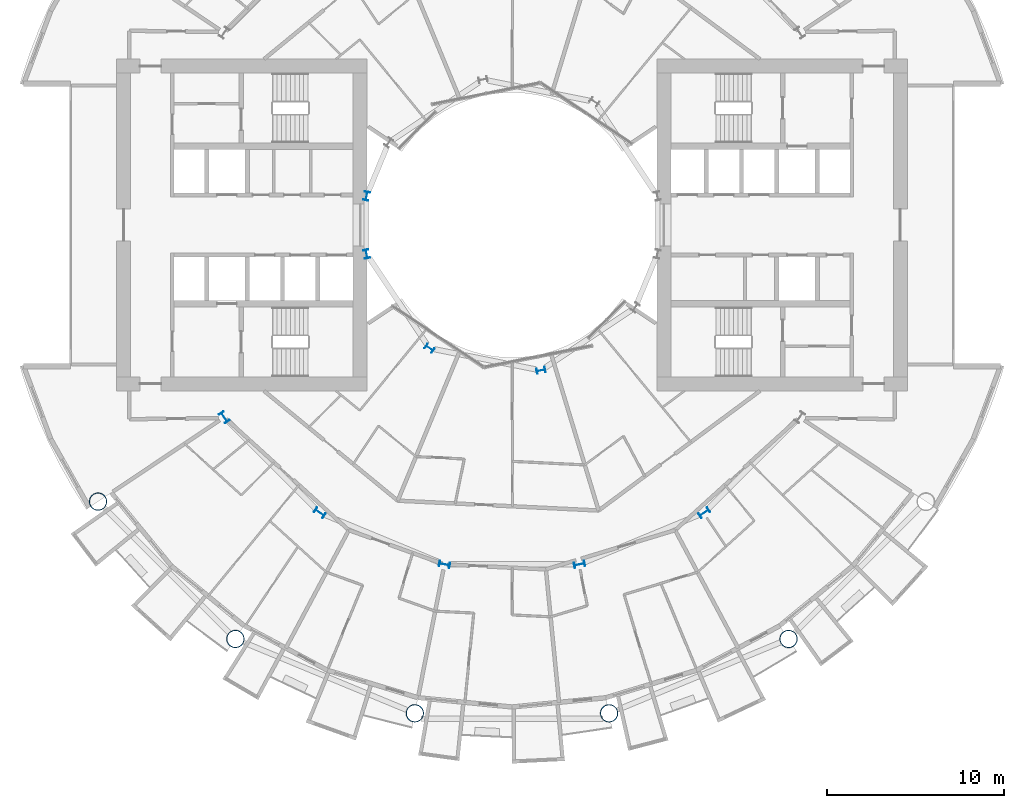
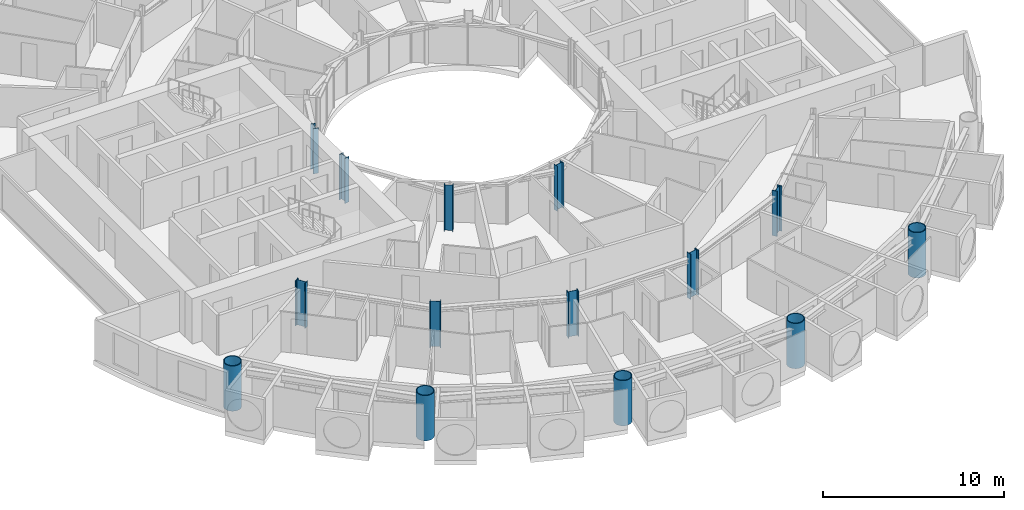
# One storey, part 1 of 26: 14 columns.
"""IFC4 building model written with IfcOpenShell, lengths in metres."""

from ifc_helpers import new_model, si_unit, direction, frame, origin, origin_2d, place, context, subcontext, project, spatial, hollow_circle, i_section, extrude, material, material_profile, profile_set, type_object, element, save


model = new_model("IFC4")

# Units and contexts
model_context = context("Model", 3, precision=1e-05, world=origin(), true_north=direction((0.0, 1.0)))
body_context = subcontext(model_context, "Body", "Model", "MODEL_VIEW")
ifc_project = project(units=[si_unit("LENGTHUNIT", "METRE"), si_unit("AREAUNIT", "SQUARE_METRE"), si_unit("VOLUMEUNIT", "CUBIC_METRE"), si_unit("PLANEANGLEUNIT", "RADIAN"), si_unit("MASSUNIT", "GRAM", prefix="KILO")], contexts=[model_context])

# Site, building, storey
site_placement = place(None, origin())
site = spatial("IfcSite", under=ifc_project, at=site_placement, CompositionType="ELEMENT")
building_placement = place(site_placement, origin())
building = spatial("IfcBuilding", under=site, at=building_placement, Name="Maasbend Ring Residences", CompositionType="ELEMENT")
storey_placement = place(building_placement, frame((0.0, 0.0, 44.14990234375)))
storey = spatial("IfcBuildingStorey", under=building, at=storey_placement, Name="L12", CompositionType="ELEMENT", Elevation=44.14990234375)

# Columns
ifc_material_1 = material(Name="Composite concrete-filled steel tube S460NH / C80/95", Category="concrete")
ifc_material_profile_1 = material_profile(ifc_material_1, hollow_circle(Radius=0.508056640625, WallThickness=0.050048828125, at=origin_2d()), Name="Composite tube column CHS 1016x50")
ifc_profile_set_1 = profile_set([ifc_material_profile_1], Name="Composite concrete-filled steel tube S460NH / C80/95")
column_type_1 = type_object("IfcColumnType", Name="Composite tube column CHS 1016x50", PredefinedType="COLUMN", material=ifc_profile_set_1)
for number, where, z_axis, x_axis, name in (
    (1, (-23.447509765625, -15.6669921875, 0.0), (0.0, 0.0, 1.0), (1.0, 0.0, 0.0), "Outer column R10"),
    (2, (-15.6669921875, -23.447509765625, 0.0), (0.0, 0.0, 1.0), (1.0, 0.0, 0.0), "Outer column R11"),
    (3, (-5.50146484375, -27.658203125, 0.0), (0.0, 0.0, 1.0), (1.0, 0.0, 0.0), "Outer column R12"),
    (4, (5.50146484375, -27.658203125, 0.0), (0.0, 0.0, 1.0), (1.0, 0.0, 0.0), "Outer column R13"),
    (5, (15.6669921875, -23.447509765625, 0.0), (0.0, 0.0, 1.0), (1.0, 0.0, 0.0), "Outer column R14"),
):
    element("IfcColumn", number, at=place(storey_placement, frame(where, z_axis=z_axis, x_axis=x_axis)), inside=storey, type_object=column_type_1, Name=name, PredefinedType="COLUMN", context=body_context, shape_type="SweptSolid", body=[
        extrude(hollow_circle(Radius=0.508056640625, WallThickness=0.050048828125, at=origin_2d()), origin(), (0.0, 0.0, 1.0), 3.050048828125),
    ])
ifc_material_2 = material(Name="Steel S355J2", Category="steel")
ifc_material_profile_2 = material_profile(ifc_material_2, i_section(OverallWidth=0.300048828125, OverallDepth=0.5, WebThickness=0.014404296875, FlangeThickness=0.028076171875, FilletRadius=0.027099609375, at=origin_2d()), Name="HEB 500")
ifc_profile_set_2 = profile_set([ifc_material_profile_2], Name="Steel S355J2")
column_type_2 = type_object("IfcColumnType", Name="Steel column HEB 500", PredefinedType="COLUMN", material=ifc_profile_set_2)
for number, where, z_axis, x_axis, name in (
    (6, (-8.238525390625, 1.638916015625, 0.0), (0.0, 0.0, 1.0), (-0.980785280403, 0.195090322016, 0.0), "Well ring column R8"),
    (7, (-8.238525390625, -1.638916015625, 0.0), (0.0, 0.0, 1.0), (-0.980785280403, -0.195090322016, 0.0), "Well ring column R9"),
    (8, (-4.666748046875, -6.984375, 0.0), (0.0, 0.0, 1.0), (-0.55557023302, -0.831469612303, 0.0), "Well ring column R11"),
    (9, (1.638916015625, -8.238525390625, 0.0), (0.0, 0.0, 1.0), (0.195090322016, -0.980785280403, 0.0), "Well ring column R13"),
):
    element("IfcColumn", number, at=place(storey_placement, frame(where, z_axis=z_axis, x_axis=x_axis)), inside=storey, type_object=column_type_2, Name=name, PredefinedType="COLUMN", context=body_context, shape_type="SweptSolid", body=[
        extrude(i_section(OverallWidth=0.300048828125, OverallDepth=0.5, WebThickness=0.014404296875, FlangeThickness=0.028076171875, FilletRadius=0.027099609375, at=origin_2d()), origin(), (0.0, 0.0, 1.0), 3.050048828125),
    ])
ifc_material_3 = material(Name="Steel S460M", Category="steel")
ifc_material_profile_3 = material_profile(ifc_material_3, i_section(OverallWidth=0.304931640625, OverallDepth=0.6201171875, WebThickness=0.02099609375, FlangeThickness=0.0400390625, FilletRadius=0.027099609375, at=origin_2d()), Name="HEM 600")
ifc_profile_set_3 = profile_set([ifc_material_profile_3], Name="Steel S460M")
column_type_3 = type_object("IfcColumnType", Name="Steel column HEM 600", PredefinedType="COLUMN", material=ifc_profile_set_3)
for number, where, z_axis, x_axis, name in (
    (10, (-16.296875, -10.88916015625, 0.0), (0.0, 0.0, 1.0), (-0.831469612303, -0.55557023302, 0.0), "Corridor ring column R10"),
    (11, (-10.88916015625, -16.296875, 0.0), (0.0, 0.0, 1.0), (-0.55557023302, -0.831469612303, 0.0), "Corridor ring column R11"),
    (12, (-3.82373046875, -19.223388671875, 0.0), (0.0, 0.0, 1.0), (-0.195090322016, -0.980785280403, 0.0), "Corridor ring column R12"),
    (13, (3.82373046875, -19.223388671875, 0.0), (0.0, 0.0, 1.0), (0.195090322016, -0.980785280403, 0.0), "Corridor ring column R13"),
    (14, (10.88916015625, -16.296875, 0.0), (0.0, 0.0, 1.0), (0.55557023302, -0.831469612303, 0.0), "Corridor ring column R14"),
):
    element("IfcColumn", number, at=place(storey_placement, frame(where, z_axis=z_axis, x_axis=x_axis)), inside=storey, type_object=column_type_3, Name=name, PredefinedType="COLUMN", context=body_context, shape_type="SweptSolid", body=[
        extrude(i_section(OverallWidth=0.304931640625, OverallDepth=0.6201171875, WebThickness=0.02099609375, FlangeThickness=0.0400390625, FilletRadius=0.027099609375, at=origin_2d()), origin(), (0.0, 0.0, 1.0), 3.050048828125),
    ])

save(model, "model.ifc")
